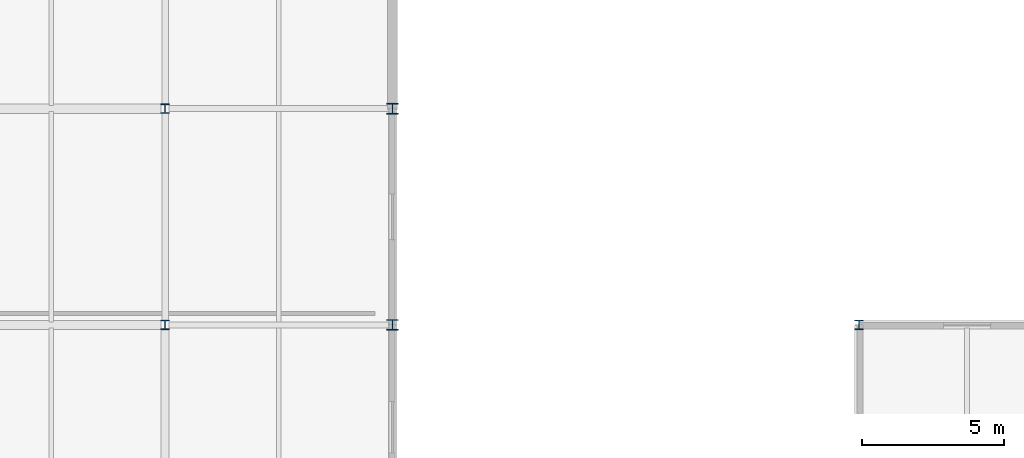
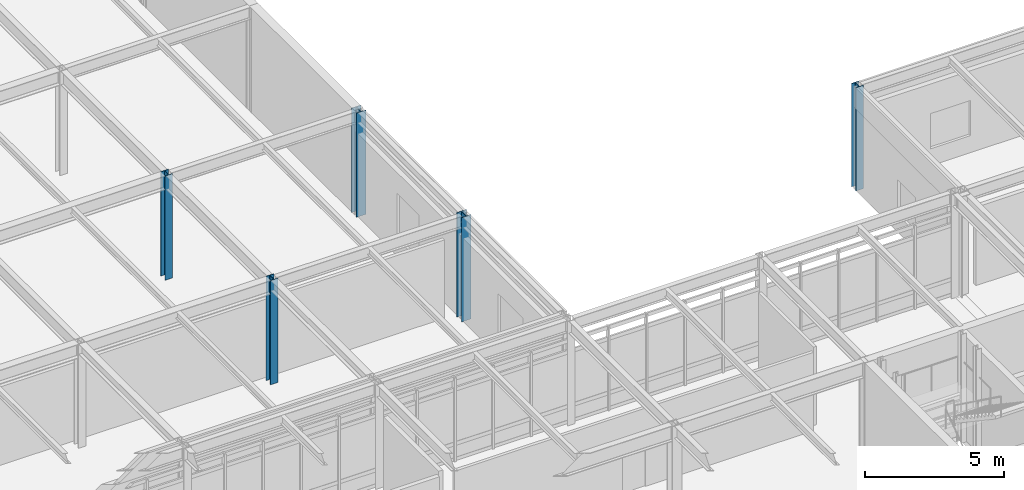
# One storey, part 13 of 104: 5 columns.
"""IFC4 building model written with IfcOpenShell, lengths in metres."""

from ifc_helpers import new_model, si_unit, direction, frame, origin, origin_2d, place, context, subcontext, project, spatial, i_section, extrude, material, material_profile, profile_set, type_object, element, save


model = new_model("IFC4")

# Units and contexts
model_context = context("Model", 3, precision=1e-05, world=origin(), true_north=direction((0.0, 1.0)))
body_context = subcontext(model_context, "Body", "Model", "MODEL_VIEW")
ifc_project = project(units=[si_unit("LENGTHUNIT", "METRE"), si_unit("AREAUNIT", "SQUARE_METRE"), si_unit("VOLUMEUNIT", "CUBIC_METRE"), si_unit("PLANEANGLEUNIT", "RADIAN"), si_unit("MASSUNIT", "GRAM", prefix="KILO")], contexts=[model_context])

# Site, building, storey
site_placement = place(None, origin())
site = spatial("IfcSite", under=ifc_project, at=site_placement, CompositionType="ELEMENT")
building_placement = place(site_placement, origin())
building = spatial("IfcBuilding", under=site, at=building_placement, Name="Zulena Civic Courthouse", CompositionType="ELEMENT")
storey_placement = place(building_placement, frame((0.0, 0.0, 15.60009765625)))
storey = spatial("IfcBuildingStorey", under=building, at=storey_placement, Name="L03", CompositionType="ELEMENT", Elevation=15.60009765625)

# Columns
ifc_material = material(Name="Steel ASTM A992 Grade 50", Category="steel")
ifc_material_profile_1 = material_profile(ifc_material, i_section(OverallWidth=0.31298828125, OverallDepth=0.3330078125, WebThickness=0.01806640625, FlangeThickness=0.0283203125, FilletRadius=0.01513671875, at=origin_2d()), Name="W12X120")
ifc_profile_set_1 = profile_set([ifc_material_profile_1], Name="Steel ASTM A992 Grade 50")
column_type_1 = type_object("IfcColumnType", Name="Col_W12X120", PredefinedType="COLUMN", material=ifc_profile_set_1)
column_placement = place(storey_placement, frame((124.39990234375, 53.199951171875, 0.0), z_axis=(0.0, 0.0, 1.0), x_axis=(1.0, 0.0, 0.0)))
element("IfcColumn", 1, at=column_placement, inside=storey, type_object=column_type_1, Name="col:V3:L03:124.4:53.2", PredefinedType="COLUMN", context=body_context, shape_type="SweptSolid", body=[
    extrude(i_section(OverallWidth=0.31298828125, OverallDepth=0.3330078125, WebThickness=0.01806640625, FlangeThickness=0.0283203125, FilletRadius=0.01513671875, at=origin_2d()), origin(), (0.0, 0.0, 1.0), 4.544921875),
])
for number, where, z_axis, x_axis, name in (
    (2, (100.0, 53.199951171875, 0.0), (0.0, 0.0, 1.0), (1.0, 0.0, 0.0), "col:V5:L03:100.0:53.2"),
    (3, (100.0, 60.800048828125, 0.0), (0.0, 0.0, 1.0), (1.0, 0.0, 0.0), "col:V5:L03:100.0:60.8"),
):
    element("IfcColumn", number, at=place(storey_placement, frame(where, z_axis=z_axis, x_axis=x_axis)), inside=storey, type_object=column_type_1, Name=name, PredefinedType="COLUMN", context=body_context, shape_type="SweptSolid", body=[
        extrude(i_section(OverallWidth=0.31298828125, OverallDepth=0.3330078125, WebThickness=0.01806640625, FlangeThickness=0.0283203125, FilletRadius=0.01513671875, at=origin_2d()), origin(), (0.0, 0.0, 1.0), 4.58984375),
    ])
ifc_material_profile_2 = material_profile(ifc_material, i_section(OverallWidth=0.39404296875, OverallDepth=0.3759765625, WebThickness=0.017333984375, FlangeThickness=0.027587890625, FilletRadius=0.01513671875, at=origin_2d()), Name="W14X145")
ifc_profile_set_2 = profile_set([ifc_material_profile_2], Name="Steel ASTM A992 Grade 50")
column_type_2 = type_object("IfcColumnType", Name="Col_W14X145", PredefinedType="COLUMN", material=ifc_profile_set_2)
for number, where, z_axis, x_axis, name in (
    (4, (108.0, 53.199951171875, 0.0), (0.0, 0.0, 1.0), (1.0, 0.0, 0.0), "col:V5:L03:108.0:53.2"),
    (5, (108.0, 60.800048828125, 0.0), (0.0, 0.0, 1.0), (1.0, 0.0, 0.0), "col:V5:L03:108.0:60.8"),
):
    element("IfcColumn", number, at=place(storey_placement, frame(where, z_axis=z_axis, x_axis=x_axis)), inside=storey, type_object=column_type_2, Name=name, PredefinedType="COLUMN", context=body_context, shape_type="SweptSolid", body=[
        extrude(i_section(OverallWidth=0.39404296875, OverallDepth=0.3759765625, WebThickness=0.017333984375, FlangeThickness=0.027587890625, FilletRadius=0.01513671875, at=origin_2d()), origin(), (0.0, 0.0, 1.0), 4.58984375),
    ])

save(model, "model.ifc")
